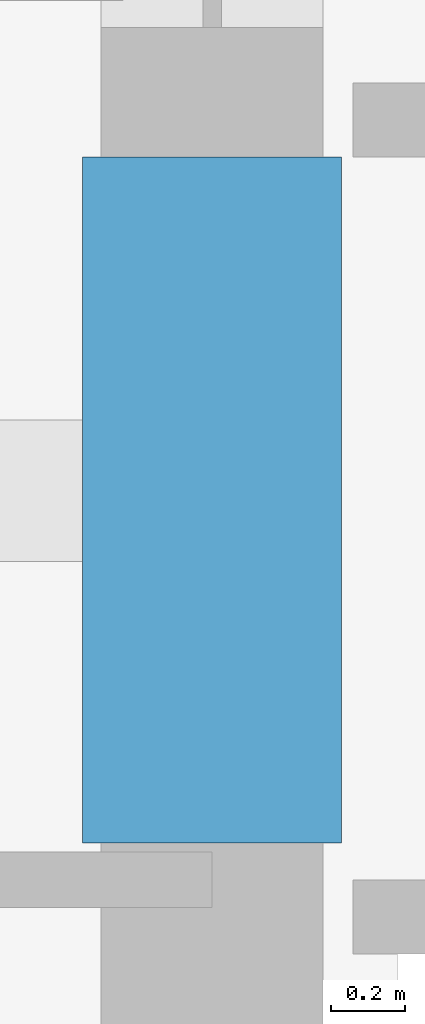
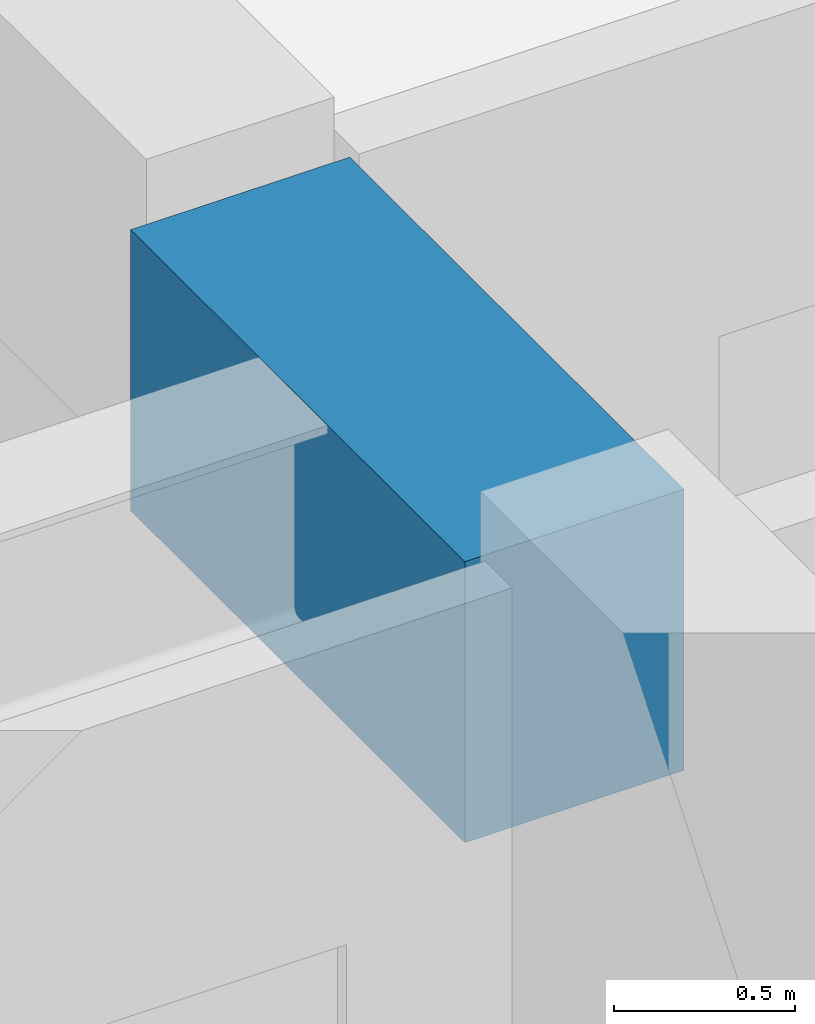
# One storey, part 5 of 36: 1 beam.
"""IFC4 building model written with IfcOpenShell, lengths in metres."""

from ifc_helpers import new_model, si_unit, direction, frame, origin, origin_2d, place, context, subcontext, project, spatial, rectangle, extrude, material, material_profile, profile_set, type_object, element, save


model = new_model("IFC4")

# Units and contexts
model_context = context("Model", 3, precision=1e-05, world=origin(), true_north=direction((0.0, 1.0)))
body_context = subcontext(model_context, "Body", "Model", "MODEL_VIEW")
ifc_project = project(units=[si_unit("LENGTHUNIT", "METRE"), si_unit("AREAUNIT", "SQUARE_METRE"), si_unit("VOLUMEUNIT", "CUBIC_METRE"), si_unit("PLANEANGLEUNIT", "RADIAN"), si_unit("MASSUNIT", "GRAM", prefix="KILO")], contexts=[model_context])

# Site, building, storey
site_placement = place(None, origin())
site = spatial("IfcSite", under=ifc_project, at=site_placement, CompositionType="ELEMENT")
building_placement = place(site_placement, origin())
building = spatial("IfcBuilding", under=site, at=building_placement, Name="Kolvaren Belvedere", CompositionType="ELEMENT")
storey_placement = place(building_placement, frame((0.0, 0.0, 95.300048828125)))
storey = spatial("IfcBuildingStorey", under=building, at=storey_placement, Name="L27", CompositionType="ELEMENT", Elevation=95.300048828125)

# Beam
ifc_material = material(Name="Concrete C60/75", Category="concrete")
ifc_material_profile = material_profile(ifc_material, rectangle(XDim=0.699951171875, YDim=0.949951171875, at=origin_2d()), Name="RC 700X950")
ifc_profile_set = profile_set([ifc_material_profile], Name="Concrete C60/75")
beam_type = type_object("IfcBeamType", Name="BM-LINT-950", PredefinedType="LINTEL", material=ifc_profile_set)
beam_placement = place(storey_placement, frame((-9.89990234375, -5.550048828125, 2.60498046875), z_axis=(0.0, 1.0, 0.0), x_axis=(-1.0, 0.0, 0.0)))
element("IfcBeam", 1, at=beam_placement, inside=storey, type_object=beam_type, Name="L27 West Core Coupling Lintel", PredefinedType="LINTEL", context=body_context, shape_type="SweptSolid", body=[
    extrude(rectangle(XDim=0.699951171875, YDim=0.949951171875, at=origin_2d()), origin(), (0.0, 0.0, 1.0), 1.85009765625),
])

save(model, "model.ifc")
